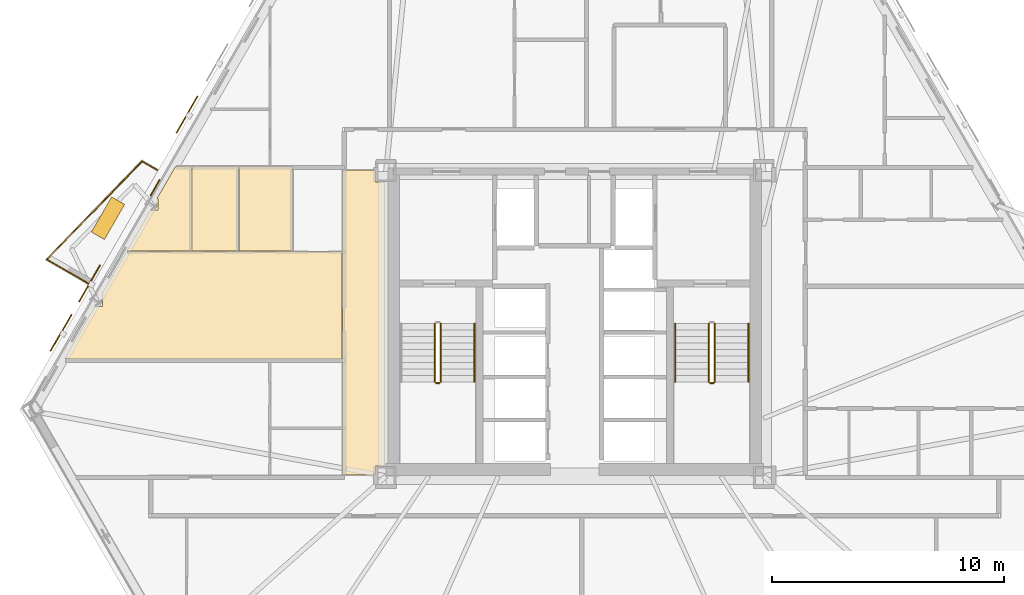
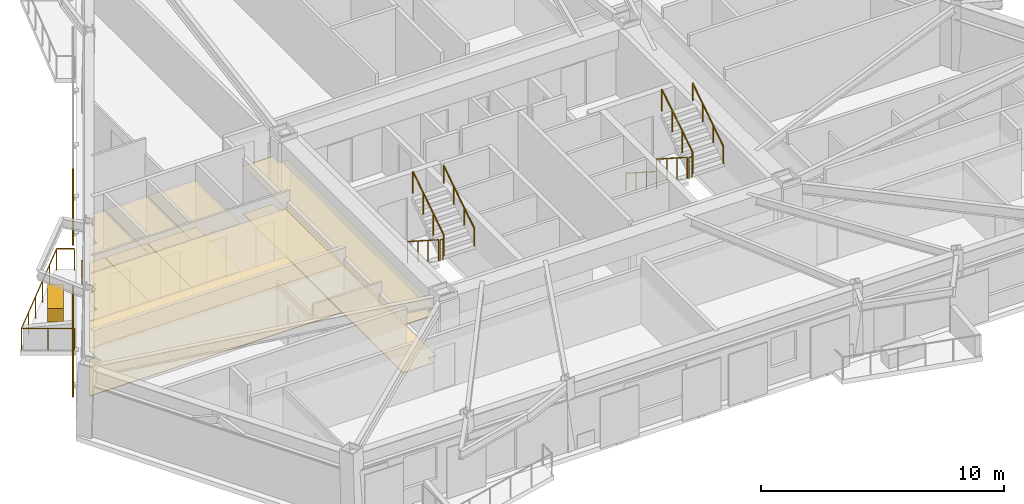
# One storey, part 9 of 11: 12 coverings, 12 railings, 3 shading devices.
"""IFC4 building model written with IfcOpenShell, lengths in metres."""

from ifc_helpers import new_model, si_unit, direction, frame, origin, origin_2d, place, context, subcontext, project, spatial, polyline, rectangle, circle, outline, extrude, material, layer, layer_set, type_object, element, save


model = new_model("IFC4")

# Units and contexts
model_context = context("Model", 3, precision=1e-05, world=origin(), true_north=direction((0.0, 1.0)))
body_context = subcontext(model_context, "Body", "Model", "MODEL_VIEW")
ifc_project = project(units=[si_unit("LENGTHUNIT", "METRE"), si_unit("AREAUNIT", "SQUARE_METRE"), si_unit("VOLUMEUNIT", "CUBIC_METRE"), si_unit("PLANEANGLEUNIT", "RADIAN"), si_unit("MASSUNIT", "GRAM", prefix="KILO")], contexts=[model_context])

# Site, building, storey
site_placement = place(None, origin())
site = spatial("IfcSite", under=ifc_project, at=site_placement, CompositionType="ELEMENT")
building_placement = place(site_placement, origin())
building = spatial("IfcBuilding", under=site, at=building_placement, Name="Oramaril Tower", CompositionType="ELEMENT")
storey_placement = place(building_placement, frame((0.0, 0.0, 86.10009765625)))
storey = spatial("IfcBuildingStorey", under=building, at=storey_placement, Name="L22", CompositionType="ELEMENT", Elevation=86.10009765625)

# Coverings
ifc_material_1 = material(Name="Mineral Fibre Acoustic Ceiling")
ifc_layer_1 = layer(ifc_material_1, 0.02001953125)
ifc_layer_set_1 = layer_set([ifc_layer_1], Name="CVT-CEIL")
covering_type_1 = type_object("IfcCoveringType", Name="CVT-CEIL", PredefinedType="CEILING", material=ifc_layer_set_1)
covering_1_placement = place(storey_placement, frame((0.0, 0.0, 2.39990234375)))
element("IfcCovering", 1, at=covering_1_placement, inside=storey, type_object=covering_type_1, Name="L22 Acoustic Suspended Ceiling 3", PredefinedType="CEILING", context=body_context, shape_type="SweptSolid", body=[
    extrude(outline(polyline([(28.905029296875, 23.705078125), (29.280029296875, 23.705078125), (29.280029296875, 11.445068359375), (28.905029296875, 11.445068359375), (28.905029296875, 11.050048828125), (27.469970703125, 11.050048828125), (27.469970703125, 24.219970703125), (28.905029296875, 24.219970703125), (28.905029296875, 23.705078125)])), origin(), (0.0, 0.0, 1.0), 0.02001953125),
])
covering_2_placement = place(storey_placement, frame((0.0, 0.0, 2.39990234375)))
element("IfcCovering", 2, at=covering_2_placement, inside=storey, type_object=covering_type_1, Name="L22 Acoustic Suspended Ceiling 13", PredefinedType="CEILING", context=body_context, shape_type="SweptSolid", body=[
    extrude(outline(polyline([(16.773681640625, 18.324462890625), (17.105224609375, 18.324462890625), (17.105224609375, 18.840087890625), (17.071533203125, 18.840087890625), (18.14599609375, 20.701171875), (27.449951171875, 20.701171875), (27.449951171875, 16.06201171875), (24.39208984375, 16.06201171875), (24.389892578125, 16.06201171875), (24.38818359375, 16.0615234375), (24.38623046875, 16.06103515625), (24.38427734375, 16.060546875), (24.382568359375, 16.0595703125), (24.382080078125, 16.059326171875), (24.38134765625, 16.0595703125), (24.379638671875, 16.060546875), (24.377685546875, 16.06103515625), (24.3759765625, 16.0615234375), (24.3740234375, 16.06201171875), (24.3720703125, 16.06201171875), (15.467529296875, 16.06201171875), (16.773681640625, 18.324462890625)])), origin(), (0.0, 0.0, 1.0), 0.02001953125),
])
covering_3_placement = place(storey_placement, frame((0.0, 0.0, 2.39990234375)))
element("IfcCovering", 3, at=covering_3_placement, inside=storey, type_object=covering_type_1, Name="L22 Acoustic Suspended Ceiling 14", PredefinedType="CEILING", context=body_context, shape_type="SweptSolid", body=[
    extrude(outline(polyline([(19.50439453125, 22.47998046875), (19.50439453125, 22.985595703125), (19.46484375, 22.985595703125), (20.259521484375, 24.362060546875), (20.963623046875, 24.362060546875), (20.963623046875, 20.72119140625), (18.15771484375, 20.72119140625), (19.173095703125, 22.47998046875), (19.50439453125, 22.47998046875)])), origin(), (0.0, 0.0, 1.0), 0.02001953125),
])
covering_4_placement = place(storey_placement, frame((0.0, 0.0, 2.39990234375)))
element("IfcCovering", 4, at=covering_4_placement, inside=storey, type_object=covering_type_1, Name="L22 Acoustic Suspended Ceiling 15", PredefinedType="CEILING", context=body_context, shape_type="SweptSolid", body=[
    extrude(outline(polyline([(22.977783203125, 24.362060546875), (22.977783203125, 20.72119140625), (20.983642578125, 20.72119140625), (20.983642578125, 24.362060546875), (22.977783203125, 24.362060546875)])), origin(), (0.0, 0.0, 1.0), 0.02001953125),
])
covering_5_placement = place(storey_placement, frame((0.0, 0.0, 2.39990234375)))
element("IfcCovering", 5, at=covering_5_placement, inside=storey, type_object=covering_type_1, Name="L22 Acoustic Suspended Ceiling 16", PredefinedType="CEILING", context=body_context, shape_type="SweptSolid", body=[
    extrude(outline(polyline([(25.322998046875, 24.362060546875), (25.322998046875, 20.72119140625), (22.997802734375, 20.72119140625), (22.997802734375, 24.362060546875), (25.322998046875, 24.362060546875)])), origin(), (0.0, 0.0, 1.0), 0.02001953125),
])
ifc_material_2 = material(Name="Warm Cream Limestone", Category="masonry")
ifc_layer_2 = layer(ifc_material_2, 0.050048828125)
ifc_layer_set_2 = layer_set([ifc_layer_2], Name="CVT-CLD")
covering_type_2 = type_object("IfcCoveringType", Name="CVT-CLD", PredefinedType="CLADDING", material=ifc_layer_set_2)
covering_6_placement = place(storey_placement, frame((19.38623046875, 23.451416015625, 0.0400390625), z_axis=(0.0, 0.0, 1.0), x_axis=(-0.5, -0.866025403784, 0.0)))
element("IfcCovering", 6, at=covering_6_placement, inside=storey, type_object=covering_type_2, Name="L22 Warm Cream Limestone Spandrel Cladding", PredefinedType="CLADDING", context=body_context, shape_type="SweptSolid", body=[
    extrude(rectangle(XDim=0.800048828125, YDim=0.050048828125, at=origin_2d()), origin(), (0.0, 0.0, 1.0), 0.679931640625),
])
covering_7_placement = place(storey_placement, frame((17.35205078125, 22.135009765625, 0.0), z_axis=(0.0, 0.0, 1.0), x_axis=(-0.500001511499, -0.866024531118, 0.0)))
element("IfcCovering", 7, at=covering_7_placement, inside=storey, type_object=covering_type_2, Name="L22 Structural Tree Planter Box L22-BAL-NW2", PredefinedType="CLADDING", context=body_context, shape_type="SweptSolid", body=[
    extrude(rectangle(XDim=1.75, YDim=0.64990234375, at=origin_2d()), origin(), (0.0, 0.0, 1.0), 0.699951171875),
])
ifc_material_3 = material(Name="Honed Quartzite Stone Flooring", Category="masonry")
ifc_layer_3 = layer(ifc_material_3, 0.02490234375)
ifc_layer_set_3 = layer_set([ifc_layer_3], Name="CVT-FLR")
covering_type_3 = type_object("IfcCoveringType", Name="CVT-FLR", PredefinedType="FLOORING", material=ifc_layer_set_3)
covering_8_placement = place(storey_placement, origin())
element("IfcCovering", 8, at=covering_8_placement, inside=storey, type_object=covering_type_3, Name="L22 Honed Stone Floor Finish 3", PredefinedType="FLOORING", context=body_context, shape_type="SweptSolid", body=[
    extrude(outline(polyline([(28.905029296875, 23.705078125), (29.280029296875, 23.705078125), (29.280029296875, 11.445068359375), (28.905029296875, 11.445068359375), (28.905029296875, 11.050048828125), (27.469970703125, 11.050048828125), (27.469970703125, 24.219970703125), (28.905029296875, 24.219970703125), (28.905029296875, 23.705078125)])), origin(), (0.0, 0.0, 1.0), 0.02490234375),
])
covering_9_placement = place(storey_placement, origin())
element("IfcCovering", 9, at=covering_9_placement, inside=storey, type_object=covering_type_3, Name="L22 Honed Stone Floor Finish 13", PredefinedType="FLOORING", context=body_context, shape_type="SweptSolid", body=[
    extrude(outline(polyline([(16.773681640625, 18.324462890625), (17.105224609375, 18.324462890625), (17.105224609375, 18.840087890625), (17.071533203125, 18.840087890625), (18.14599609375, 20.701171875), (27.449951171875, 20.701171875), (27.449951171875, 16.06201171875), (24.39208984375, 16.06201171875), (24.389892578125, 16.06201171875), (24.38818359375, 16.0615234375), (24.38623046875, 16.06103515625), (24.38427734375, 16.060546875), (24.382568359375, 16.0595703125), (24.382080078125, 16.059326171875), (24.38134765625, 16.0595703125), (24.379638671875, 16.060546875), (24.377685546875, 16.06103515625), (24.3759765625, 16.0615234375), (24.3740234375, 16.06201171875), (24.3720703125, 16.06201171875), (15.467529296875, 16.06201171875), (16.773681640625, 18.324462890625)])), origin(), (0.0, 0.0, 1.0), 0.02490234375),
])
covering_10_placement = place(storey_placement, origin())
element("IfcCovering", 10, at=covering_10_placement, inside=storey, type_object=covering_type_3, Name="L22 Honed Stone Floor Finish 14", PredefinedType="FLOORING", context=body_context, shape_type="SweptSolid", body=[
    extrude(outline(polyline([(19.50439453125, 22.47998046875), (19.50439453125, 22.985595703125), (19.46484375, 22.985595703125), (20.259521484375, 24.362060546875), (20.963623046875, 24.362060546875), (20.963623046875, 20.72119140625), (18.15771484375, 20.72119140625), (19.173095703125, 22.47998046875), (19.50439453125, 22.47998046875)])), origin(), (0.0, 0.0, 1.0), 0.02490234375),
])
covering_11_placement = place(storey_placement, origin())
element("IfcCovering", 11, at=covering_11_placement, inside=storey, type_object=covering_type_3, Name="L22 Honed Stone Floor Finish 15", PredefinedType="FLOORING", context=body_context, shape_type="SweptSolid", body=[
    extrude(outline(polyline([(22.977783203125, 24.362060546875), (22.977783203125, 20.72119140625), (20.983642578125, 20.72119140625), (20.983642578125, 24.362060546875), (22.977783203125, 24.362060546875)])), origin(), (0.0, 0.0, 1.0), 0.02490234375),
])
covering_12_placement = place(storey_placement, origin())
element("IfcCovering", 12, at=covering_12_placement, inside=storey, type_object=covering_type_3, Name="L22 Honed Stone Floor Finish 16", PredefinedType="FLOORING", context=body_context, shape_type="SweptSolid", body=[
    extrude(outline(polyline([(25.322998046875, 24.362060546875), (25.322998046875, 20.72119140625), (22.997802734375, 20.72119140625), (22.997802734375, 24.362060546875), (25.322998046875, 24.362060546875)])), origin(), (0.0, 0.0, 1.0), 0.02490234375),
])

# Railings
ifc_material_4 = material(Name="Stainless Steel 316L", Category="steel")
railing_type_1 = type_object("IfcRailingType", Name="RLT-GRD", PredefinedType="GUARDRAIL", material=ifc_material_4)
railing_1_placement = place(storey_placement, frame((16.602294921875, 19.259765625, 0.0)))
element("IfcRailing", 13, at=railing_1_placement, inside=storey, type_object=railing_type_1, Name="L22 Balcony Guardrail L22-BAL-NW2.1", PredefinedType="GUARDRAIL", context=body_context, shape_type="SweptSolid", body=[
    extrude(circle(Radius=0.02392578125, at=origin_2d()), frame((0.0, 0.0, 1.076171875), z_axis=(-0.866020500697, 0.5000084923, 0.0), x_axis=(-0.5000084923, -0.866020500697, 0.0)), (0.0, 0.0, 1.0), 2.19189453125),
    extrude(circle(Radius=0.02099609375, at=origin_2d()), origin(), (0.0, 0.0, 1.0), 1.052001953125),
    extrude(circle(Radius=0.02099609375, at=origin_2d()), frame((-0.94921875, 0.5478515625, 0.0)), (0.0, 0.0, 1.0), 1.052001953125),
    extrude(circle(Radius=0.02099609375, at=origin_2d()), frame((-1.898193359375, 1.095947265625, 0.0)), (0.0, 0.0, 1.0), 1.052001953125),
])
railing_2_placement = place(storey_placement, frame((14.7041015625, 20.355712890625, 0.0)))
element("IfcRailing", 14, at=railing_2_placement, inside=storey, type_object=railing_type_1, Name="L22 Balcony Guardrail L22-BAL-NW2.2", PredefinedType="GUARDRAIL", context=body_context, shape_type="SweptSolid", body=[
    extrude(circle(Radius=0.02392578125, at=origin_2d()), frame((0.0, 0.0, 1.076171875), z_axis=(0.697186915353, 0.716889395277, 0.0), x_axis=(-0.716889395277, 0.697186915353, 0.0)), (0.0, 0.0, 1.0), 5.91064453125),
    extrude(circle(Radius=0.02099609375, at=origin_2d()), origin(), (0.0, 0.0, 1.0), 1.052001953125),
    extrude(circle(Radius=0.02099609375, at=origin_2d()), frame((0.82421875, 0.847412109375, 0.0)), (0.0, 0.0, 1.0), 1.052001953125),
    extrude(circle(Radius=0.02099609375, at=origin_2d()), frame((1.6484375, 1.69482421875, 0.0)), (0.0, 0.0, 1.0), 1.052001953125),
    extrude(circle(Radius=0.02099609375, at=origin_2d()), frame((2.472412109375, 2.54248046875, 0.0)), (0.0, 0.0, 1.0), 1.052001953125),
    extrude(circle(Radius=0.02099609375, at=origin_2d()), frame((3.296630859375, 3.389892578125, 0.0)), (0.0, 0.0, 1.0), 1.052001953125),
    extrude(circle(Radius=0.02099609375, at=origin_2d()), frame((4.120849609375, 4.2373046875, 0.0)), (0.0, 0.0, 1.0), 1.052001953125),
])
railing_3_placement = place(storey_placement, frame((18.824951171875, 24.593017578125, 0.0)))
element("IfcRailing", 15, at=railing_3_placement, inside=storey, type_object=railing_type_1, Name="L22 Balcony Guardrail L22-BAL-NW2.3", PredefinedType="GUARDRAIL", context=body_context, shape_type="SweptSolid", body=[
    extrude(circle(Radius=0.02392578125, at=origin_2d()), frame((0.0, 0.0, 1.076171875), z_axis=(0.865884080729, -0.500244698863, 0.0), x_axis=(0.500244698863, 0.865884080729, 0.0)), (0.0, 0.0, 1.0), 0.741943359375),
    extrude(circle(Radius=0.02099609375, at=origin_2d()), origin(), (0.0, 0.0, 1.0), 1.052001953125),
    extrude(circle(Radius=0.02099609375, at=origin_2d()), frame((0.642333984375, -0.37109375, 0.0)), (0.0, 0.0, 1.0), 1.052001953125),
])
railing_4_placement = place(storey_placement, frame((31.4599609375, 17.590087890625, 0.179931640625)))
element("IfcRailing", 16, at=railing_4_placement, inside=storey, type_object=railing_type_1, Name="L22 ST-1 stair guard 1", PredefinedType="GUARDRAIL", context=body_context, shape_type="SweptSolid", body=[
    extrude(circle(Radius=0.02392578125, at=origin_2d()), frame((0.0, 0.0, 1.076171875), z_axis=(0.0, -0.841199657755, 0.540724639528), x_axis=(1.0, 0.0, 0.0)), (0.0, 0.0, 1.0), 2.995849609375),
    extrude(circle(Radius=0.02099609375, at=origin_2d()), origin(), (0.0, 0.0, 1.0), 1.052001953125),
    extrude(circle(Radius=0.02099609375, at=origin_2d()), frame((0.0, -0.840087890625, 0.5400390625)), (0.0, 0.0, 1.0), 1.052001953125),
    extrude(circle(Radius=0.02099609375, at=origin_2d()), frame((0.0, -1.679931640625, 1.079833984375)), (0.0, 0.0, 1.0), 1.052001953125),
    extrude(circle(Radius=0.02099609375, at=origin_2d()), frame((0.0, -2.52001953125, 1.619873046875)), (0.0, 0.0, 1.0), 1.052001953125),
])
railing_5_placement = place(storey_placement, frame((31.510009765625, 15.02001953125, 1.7998046875)))
element("IfcRailing", 17, at=railing_5_placement, inside=storey, type_object=railing_type_1, Name="L22 ST-1 stair guard 2", PredefinedType="GUARDRAIL", context=body_context, shape_type="SweptSolid", body=[
    extrude(circle(Radius=0.02392578125, at=origin_2d()), frame((0.0, 0.0, 1.076171875), z_axis=(1.0, 0.0, 0.0), x_axis=(0.0, 1.0, 0.0)), (0.0, 0.0, 1.0), 0.14990234375),
    extrude(circle(Radius=0.02099609375, at=origin_2d()), origin(), (0.0, 0.0, 1.0), 1.052001953125),
    extrude(circle(Radius=0.02099609375, at=origin_2d()), frame((0.14990234375, 0.0, 0.0)), (0.0, 0.0, 1.0), 1.052001953125),
])
railing_6_placement = place(storey_placement, frame((31.7099609375, 15.070068359375, 1.97998046875)))
element("IfcRailing", 18, at=railing_6_placement, inside=storey, type_object=railing_type_1, Name="L22 ST-1 stair guard 3", PredefinedType="GUARDRAIL", context=body_context, shape_type="SweptSolid", body=[
    extrude(circle(Radius=0.02392578125, at=origin_2d()), frame((0.0, 0.0, 1.076171875), z_axis=(0.0, 0.841199657755, 0.540724639528), x_axis=(-1.0, 0.0, 0.0)), (0.0, 0.0, 1.0), 2.995849609375),
    extrude(circle(Radius=0.02099609375, at=origin_2d()), origin(), (0.0, 0.0, 1.0), 1.052001953125),
    extrude(circle(Radius=0.02099609375, at=origin_2d()), frame((0.0, 0.840087890625, 0.5400390625)), (0.0, 0.0, 1.0), 1.052001953125),
    extrude(circle(Radius=0.02099609375, at=origin_2d()), frame((0.0, 1.679931640625, 1.079833984375)), (0.0, 0.0, 1.0), 1.052001953125),
    extrude(circle(Radius=0.02099609375, at=origin_2d()), frame((0.0, 2.52001953125, 1.619873046875)), (0.0, 0.0, 1.0), 1.052001953125),
])
railing_7_placement = place(storey_placement, frame((43.2900390625, 17.590087890625, 0.179931640625)))
element("IfcRailing", 19, at=railing_7_placement, inside=storey, type_object=railing_type_1, Name="L22 ST-2 stair guard 1", PredefinedType="GUARDRAIL", context=body_context, shape_type="SweptSolid", body=[
    extrude(circle(Radius=0.02392578125, at=origin_2d()), frame((0.0, 0.0, 1.076171875), z_axis=(0.0, -0.841199657755, 0.540724639528), x_axis=(1.0, 0.0, 0.0)), (0.0, 0.0, 1.0), 2.995849609375),
    extrude(circle(Radius=0.02099609375, at=origin_2d()), origin(), (0.0, 0.0, 1.0), 1.052001953125),
    extrude(circle(Radius=0.02099609375, at=origin_2d()), frame((0.0, -0.840087890625, 0.5400390625)), (0.0, 0.0, 1.0), 1.052001953125),
    extrude(circle(Radius=0.02099609375, at=origin_2d()), frame((0.0, -1.679931640625, 1.079833984375)), (0.0, 0.0, 1.0), 1.052001953125),
    extrude(circle(Radius=0.02099609375, at=origin_2d()), frame((0.0, -2.52001953125, 1.619873046875)), (0.0, 0.0, 1.0), 1.052001953125),
])
railing_8_placement = place(storey_placement, frame((43.340087890625, 15.02001953125, 1.7998046875)))
element("IfcRailing", 20, at=railing_8_placement, inside=storey, type_object=railing_type_1, Name="L22 ST-2 stair guard 2", PredefinedType="GUARDRAIL", context=body_context, shape_type="SweptSolid", body=[
    extrude(circle(Radius=0.02392578125, at=origin_2d()), frame((0.0, 0.0, 1.076171875), z_axis=(1.0, 0.0, 0.0), x_axis=(0.0, 1.0, 0.0)), (0.0, 0.0, 1.0), 0.14990234375),
    extrude(circle(Radius=0.02099609375, at=origin_2d()), origin(), (0.0, 0.0, 1.0), 1.052001953125),
    extrude(circle(Radius=0.02099609375, at=origin_2d()), frame((0.14990234375, 0.0, 0.0)), (0.0, 0.0, 1.0), 1.052001953125),
])
railing_9_placement = place(storey_placement, frame((43.5400390625, 15.070068359375, 1.97998046875)))
element("IfcRailing", 21, at=railing_9_placement, inside=storey, type_object=railing_type_1, Name="L22 ST-2 stair guard 3", PredefinedType="GUARDRAIL", context=body_context, shape_type="SweptSolid", body=[
    extrude(circle(Radius=0.02392578125, at=origin_2d()), frame((0.0, 0.0, 1.076171875), z_axis=(0.0, 0.841199657755, 0.540724639528), x_axis=(-1.0, 0.0, 0.0)), (0.0, 0.0, 1.0), 2.995849609375),
    extrude(circle(Radius=0.02099609375, at=origin_2d()), origin(), (0.0, 0.0, 1.0), 1.052001953125),
    extrude(circle(Radius=0.02099609375, at=origin_2d()), frame((0.0, 0.840087890625, 0.5400390625)), (0.0, 0.0, 1.0), 1.052001953125),
    extrude(circle(Radius=0.02099609375, at=origin_2d()), frame((0.0, 1.679931640625, 1.079833984375)), (0.0, 0.0, 1.0), 1.052001953125),
    extrude(circle(Radius=0.02099609375, at=origin_2d()), frame((0.0, 2.52001953125, 1.619873046875)), (0.0, 0.0, 1.0), 1.052001953125),
])
ifc_material_5 = material(Name="Stainless Steel 316L", Category="steel")
railing_type_2 = type_object("IfcRailingType", Name="RLT-HND", PredefinedType="HANDRAIL", material=ifc_material_5)
railing_10_placement = place(storey_placement, frame((33.169921875, 15.070068359375, 1.97998046875)))
element("IfcRailing", 22, at=railing_10_placement, inside=storey, type_object=railing_type_2, Name="L22 ST-1 stair handrail 2", PredefinedType="HANDRAIL", context=body_context, shape_type="SweptSolid", body=[
    extrude(circle(Radius=0.02392578125, at=origin_2d()), frame((0.0, 0.0, 0.8759765625), z_axis=(0.0, 0.841199657755, 0.540724639528), x_axis=(-1.0, 0.0, 0.0)), (0.0, 0.0, 1.0), 2.995849609375),
    extrude(circle(Radius=0.02099609375, at=origin_2d()), origin(), (0.0, 0.0, 1.0), 0.851806640625),
    extrude(circle(Radius=0.02099609375, at=origin_2d()), frame((0.0, 0.840087890625, 0.5400390625)), (0.0, 0.0, 1.0), 0.851806640625),
    extrude(circle(Radius=0.02099609375, at=origin_2d()), frame((0.0, 1.679931640625, 1.079833984375)), (0.0, 0.0, 1.0), 0.851806640625),
    extrude(circle(Radius=0.02099609375, at=origin_2d()), frame((0.0, 2.52001953125, 1.619873046875)), (0.0, 0.0, 1.0), 0.851806640625),
])
railing_11_placement = place(storey_placement, frame((41.830078125, 17.590087890625, 0.179931640625)))
element("IfcRailing", 23, at=railing_11_placement, inside=storey, type_object=railing_type_2, Name="L22 ST-2 stair handrail 1", PredefinedType="HANDRAIL", context=body_context, shape_type="SweptSolid", body=[
    extrude(circle(Radius=0.02392578125, at=origin_2d()), frame((0.0, 0.0, 0.8759765625), z_axis=(0.0, -0.841199657755, 0.540724639528), x_axis=(1.0, 0.0, 0.0)), (0.0, 0.0, 1.0), 2.995849609375),
    extrude(circle(Radius=0.02099609375, at=origin_2d()), origin(), (0.0, 0.0, 1.0), 0.851806640625),
    extrude(circle(Radius=0.02099609375, at=origin_2d()), frame((0.0, -0.840087890625, 0.5400390625)), (0.0, 0.0, 1.0), 0.851806640625),
    extrude(circle(Radius=0.02099609375, at=origin_2d()), frame((0.0, -1.679931640625, 1.079833984375)), (0.0, 0.0, 1.0), 0.851806640625),
    extrude(circle(Radius=0.02099609375, at=origin_2d()), frame((0.0, -2.52001953125, 1.619873046875)), (0.0, 0.0, 1.0), 0.851806640625),
])
railing_12_placement = place(storey_placement, frame((45.0, 15.070068359375, 1.97998046875)))
element("IfcRailing", 24, at=railing_12_placement, inside=storey, type_object=railing_type_2, Name="L22 ST-2 stair handrail 2", PredefinedType="HANDRAIL", context=body_context, shape_type="SweptSolid", body=[
    extrude(circle(Radius=0.02392578125, at=origin_2d()), frame((0.0, 0.0, 0.8759765625), z_axis=(0.0, 0.841199657755, 0.540724639528), x_axis=(-1.0, 0.0, 0.0)), (0.0, 0.0, 1.0), 2.995849609375),
    extrude(circle(Radius=0.02099609375, at=origin_2d()), origin(), (0.0, 0.0, 1.0), 0.851806640625),
    extrude(circle(Radius=0.02099609375, at=origin_2d()), frame((0.0, 0.840087890625, 0.5400390625)), (0.0, 0.0, 1.0), 0.851806640625),
    extrude(circle(Radius=0.02099609375, at=origin_2d()), frame((0.0, 1.679931640625, 1.079833984375)), (0.0, 0.0, 1.0), 0.851806640625),
    extrude(circle(Radius=0.02099609375, at=origin_2d()), frame((0.0, 2.52001953125, 1.619873046875)), (0.0, 0.0, 1.0), 0.851806640625),
])

# Shading devices
for number, where, z_axis, x_axis, name in (
    (25, (15.324462890625, 17.190185546875, -0.02001953125), (0.0, 0.0, 1.0), (-0.5, -0.866025403784, 0.0), "L22 Perforated Ceramic Solar Screen"),
    (26, (16.553466796875, 19.318603515625, -0.02001953125), (0.0, 0.0, 1.0), (-0.5, -0.866025403784, 0.0), "L22 Perforated Ceramic Solar Screen"),
    (27, (20.764404296875, 26.6123046875, -0.02001953125), (0.0, 0.0, 1.0), (-0.5, -0.866025403784, 0.0), "L22 Perforated Ceramic Solar Screen"),
):
    element("IfcShadingDevice", number, at=place(storey_placement, frame(where, z_axis=z_axis, x_axis=x_axis)), inside=storey, Name=name, ObjectType="SCREEN", PredefinedType="USERDEFINED", context=body_context, shape_type="SweptSolid", body=[
        extrude(rectangle(XDim=1.8330078125, YDim=0.050048828125, at=origin_2d()), origin(), (0.0, 0.0, 1.0), 2.577880859375),
    ])

save(model, "model.ifc")
